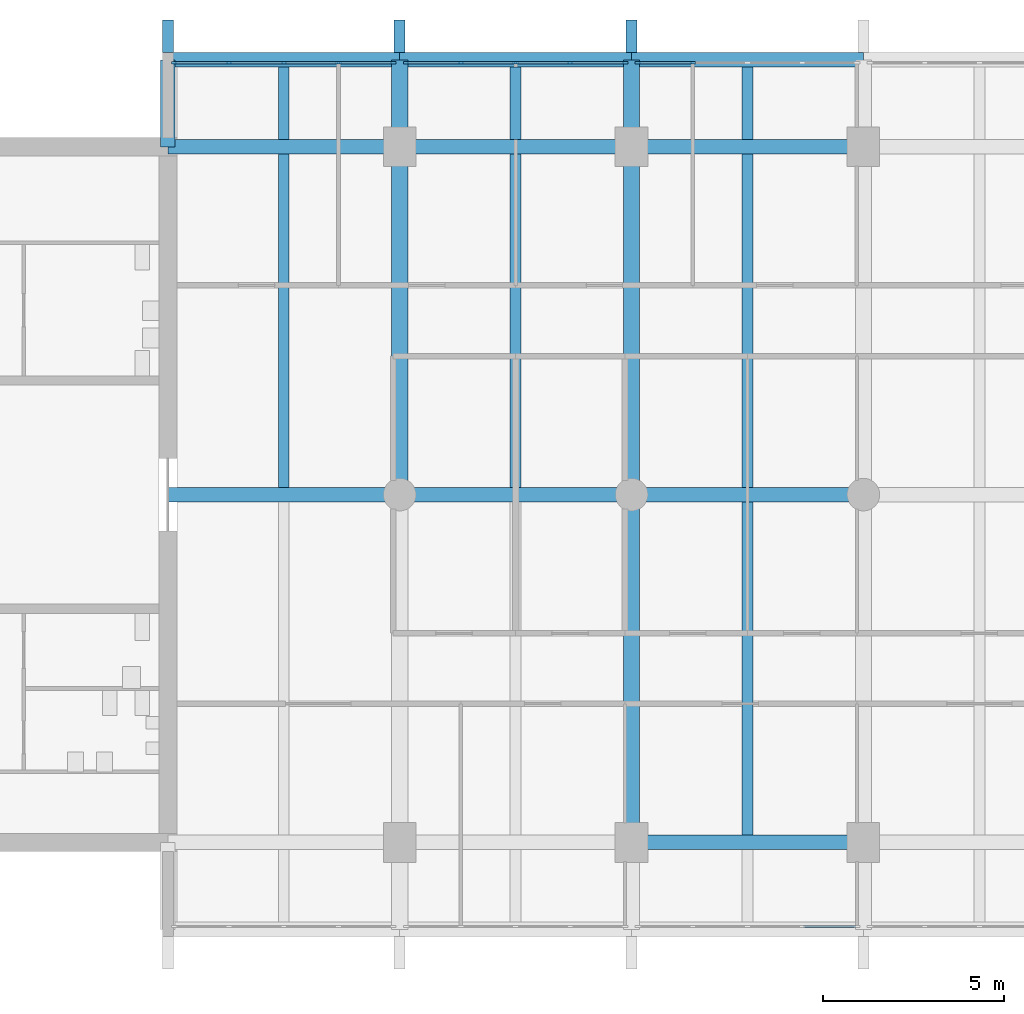
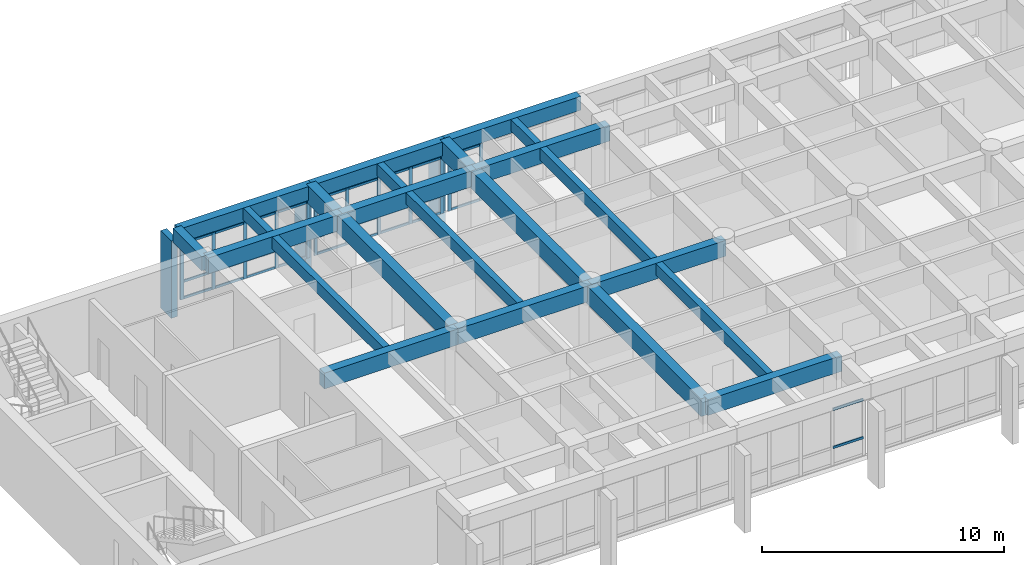
# One storey, part 3 of 15: 44 members, 23 beams, 4 elements without a shape of their own.
"""IFC4 building model written with IfcOpenShell, lengths in metres."""

import ifcopenshell
import ifcopenshell.guid

model = None  # the IFC model being written
_history = None  # IfcOwnerHistory: only IFC2X3 demands one
_inside = {}  # id of a spatial element -> (the spatial element, [elements in it])
_under = {}  # id of a project, library or spatial element -> (it, [spatial elements below it])
_declared = {}  # id of a project -> (the project, [libraries it declares])
_typed = {}  # id of a type object -> (the type object, [elements of that type])
_made_of = {}  # id of a material, layer set ... -> (it, [elements and type objects made of it])


def new_model(schema):
    """Start an empty IFC model of exactly this schema.

    Asked for "IFC4X3", IfcOpenShell would pick the latest addendum, in which some entities
    have other attributes; the version numbers below select the first issue.
    IFC2X3 requires an IfcOwnerHistory on every rooted entity: one is made here for all.
    """
    global model, _history
    if schema == "IFC4X3":
        model = ifcopenshell.file(schema_version=(4, 3, 0, 0))
    else:
        model = ifcopenshell.file(schema=schema)
    _inside.clear()
    _under.clear()
    _declared.clear()
    _typed.clear()
    _made_of.clear()
    _history = None
    if model.schema == "IFC2X3":
        org = make("IfcOrganization", Name="unknown")
        user = make(
            "IfcPersonAndOrganization",
            ThePerson=make("IfcPerson", FamilyName="unknown"),
            TheOrganization=org,
        )
        app = make(
            "IfcApplication",
            ApplicationDeveloper=org,
            Version="unknown",
            ApplicationFullName="unknown",
            ApplicationIdentifier="unknown",
        )
        _history = make(
            "IfcOwnerHistory",
            OwningUser=user,
            OwningApplication=app,
            ChangeAction="ADDED",
            CreationDate=0,
        )
    return model


def make(cls, **values):
    """One entity of the class cls with the attributes given. An attribute that is None is left unset."""
    return model.create_entity(
        cls, **{name: value for name, value in values.items() if value is not None}
    )


def rooted(cls, **values):
    """An entity with a GlobalId (a new one), such as an element, a storey or a relation."""
    return make(cls, GlobalId=ifcopenshell.guid.new(), OwnerHistory=_history, **values)


def si_unit(unit_type, name, prefix=None):
    """IfcSIUnit, for example si_unit("LENGTHUNIT", "METRE", prefix="MILLI")."""
    return make("IfcSIUnit", UnitType=unit_type, Prefix=prefix, Name=name)


def assignment(units):
    """IfcUnitAssignment: the units of a project."""
    return None if units is None else make("IfcUnitAssignment", Units=units)


def point(xyz):
    """IfcCartesianPoint."""
    return None if xyz is None else make("IfcCartesianPoint", Coordinates=xyz)


def direction(xyz):
    """IfcDirection."""
    return None if xyz is None else make("IfcDirection", DirectionRatios=xyz)


def frame(location, z_axis=None, x_axis=None):
    """IfcAxis2Placement3D, a coordinate frame: its origin and axes. An axis left out is left unset."""
    return make(
        "IfcAxis2Placement3D",
        Location=point(location),
        Axis=direction(z_axis),
        RefDirection=direction(x_axis),
    )


def frame_2d(location, x_axis=None):
    """IfcAxis2Placement2D, a coordinate frame in the plane: its origin and x axis."""
    return make(
        "IfcAxis2Placement2D", Location=point(location), RefDirection=direction(x_axis)
    )


def origin():
    """The frame at (0, 0, 0) with its axes left unset."""
    return frame((0.0, 0.0, 0.0))


def origin_2d():
    """The frame at (0, 0) in the plane with its x axis left unset."""
    return frame_2d((0.0, 0.0))


def place(relative_to, where):
    """IfcLocalPlacement: puts the frame where relative to a parent placement (None: the world)."""
    return make(
        "IfcLocalPlacement", PlacementRelTo=relative_to, RelativePlacement=where
    )


def context(
    kind, dimensions, precision=None, world=None, true_north=None, identifier=None
):
    """IfcGeometricRepresentationContext, for example the 3D "Model" context."""
    return make(
        "IfcGeometricRepresentationContext",
        ContextIdentifier=identifier,
        ContextType=kind,
        CoordinateSpaceDimension=dimensions,
        Precision=precision,
        WorldCoordinateSystem=world,
        TrueNorth=true_north,
    )


def subcontext(parent, identifier, kind, view, scale=None):
    """IfcGeometricRepresentationSubContext, for example "Body" below "Model"."""
    return make(
        "IfcGeometricRepresentationSubContext",
        ContextIdentifier=identifier,
        ContextType=kind,
        ParentContext=parent,
        TargetScale=scale,
        TargetView=view,
    )


def project(units=None, contexts=None):
    """IfcProject with its units and contexts."""
    return rooted(
        "IfcProject",
        Name="project",
        RepresentationContexts=contexts,
        UnitsInContext=assignment(units),
    )


def spatial(cls, under=None, at=None, **own):
    """A site, building, storey or space (cls), placed at a placement, below another one or the project."""
    s = rooted(cls, ObjectPlacement=at, **own)
    if under is not None:
        _under.setdefault(under.id(), (under, []))[1].append(s)
    return s


def profile(cls, at=None, kind="AREA", **sizes):
    """A parametric profile (cls). Its sizes go by their IFC names, for example OverallWidth=200.0."""
    return make(cls, ProfileType=kind, Position=at, **sizes)


def rectangle(**sizes):
    """IfcRectangleProfileDef."""
    return profile("IfcRectangleProfileDef", **sizes)


def extrude(swept, where, along, depth):
    """IfcExtrudedAreaSolid: the profile swept, set in the frame where, extruded along a direction by depth."""
    return make(
        "IfcExtrudedAreaSolid",
        SweptArea=swept,
        Position=where,
        ExtrudedDirection=direction(along),
        Depth=depth,
    )


def shape(context_of_items, identifier, shape_type, items):
    """IfcShapeRepresentation: the items that make up one representation, for example the "Body"."""
    return make(
        "IfcShapeRepresentation",
        ContextOfItems=context_of_items,
        RepresentationIdentifier=identifier,
        RepresentationType=shape_type,
        Items=items,
    )


def material(Name=None, Category=None):
    """IfcMaterial."""
    return make("IfcMaterial", Name=Name, Category=Category)


def layer(
    of_material, thickness, ventilated=None, Name=None, Category=None, Priority=None
):
    """IfcMaterialLayer: one layer of a wall or slab, of a material (None: an air gap)."""
    return make(
        "IfcMaterialLayer",
        Material=of_material,
        LayerThickness=thickness,
        IsVentilated=ventilated,
        Name=Name,
        Category=Category,
        Priority=Priority,
    )


def layer_set(layers, Name=None):
    """IfcMaterialLayerSet."""
    return make("IfcMaterialLayerSet", MaterialLayers=layers, LayerSetName=Name)


def material_profile(
    of_material, cross_section, Name=None, Category=None, Priority=None
):
    """IfcMaterialProfile: a cross section and its material."""
    return make(
        "IfcMaterialProfile",
        Name=Name,
        Material=of_material,
        Profile=cross_section,
        Priority=Priority,
        Category=Category,
    )


def profile_set(profiles, Name=None, composite=None):
    """IfcMaterialProfileSet."""
    return make(
        "IfcMaterialProfileSet",
        Name=Name,
        MaterialProfiles=profiles,
        CompositeProfile=composite,
    )


def made_of(thing, what):
    """Note that an element or type object is made of a material, layer set ...; save() writes the relation."""
    if what is not None:
        _made_of.setdefault(what.id(), (what, []))[1].append(thing)
    return thing


def type_object(cls, material=None, **own):
    """A type object (cls), such as IfcWallType, which elements share."""
    return made_of(rooted(cls, **own), material)


def element(
    cls,
    number,
    at=None,
    inside=None,
    cuts=None,
    type_object=None,
    material=None,
    context=None,
    identifier="Body",
    shape_type=None,
    held_by="IfcProductDefinitionShape",
    body=None,
    shapes=None,
    **own,
):
    """One element of the class cls, such as IfcWall. Its Tag is "e" and its number.

    at: its placement. inside: the storey or other place that contains it. cuts: it is an
    opening in that element (IfcRelVoidsElement). A single representation is given by context,
    identifier, shape_type and body (its items); several are given by shapes. held_by: the class
    of the entity that holds the representations. save() writes the other relations.
    """
    e = rooted(cls, Tag="e%d" % number, ObjectPlacement=at, **own)
    if body is not None:
        shapes = [shape(context, identifier, shape_type, body)]
    if shapes is not None:
        e.Representation = make(held_by, Representations=shapes)
    if inside is not None:
        _inside.setdefault(inside.id(), (inside, []))[1].append(e)
    if cuts is not None:
        rooted(
            "IfcRelVoidsElement", RelatingBuildingElement=cuts, RelatedOpeningElement=e
        )
    if type_object is not None:
        _typed.setdefault(type_object.id(), (type_object, []))[1].append(e)
    return made_of(e, material)


def aggregate(whole, parts):
    """IfcRelAggregates: a whole, such as a stair, and the parts it consists of."""
    return rooted("IfcRelAggregates", RelatingObject=whole, RelatedObjects=parts)


def save(model, path):
    """Write the relations noted so far, then the file.

    IfcRelAggregates (storeys below a building ...), IfcRelContainedInSpatialStructure (elements
    in a storey), IfcRelDefinesByType, IfcRelAssociatesMaterial and IfcRelDeclares: one each for
    every whole, place, type object, material and project.
    """
    for whole, parts in _under.values():
        aggregate(whole, parts)
    for where, things in _inside.values():
        rooted(
            "IfcRelContainedInSpatialStructure",
            RelatedElements=things,
            RelatingStructure=where,
        )
    for kind, things in _typed.values():
        rooted("IfcRelDefinesByType", RelatedObjects=things, RelatingType=kind)
    for what, things in _made_of.values():
        rooted("IfcRelAssociatesMaterial", RelatedObjects=things, RelatingMaterial=what)
    for by, libraries in _declared.values():
        rooted("IfcRelDeclares", RelatingContext=by, RelatedDefinitions=libraries)
    model.write(path)


model = new_model("IFC4")

# Units and contexts
model_context = context("Model", 3, precision=1e-05, world=origin(), true_north=direction((0.0, 1.0)))
body_context = subcontext(model_context, "Body", "Model", "MODEL_VIEW")
ifc_project = project(units=[si_unit("LENGTHUNIT", "METRE"), si_unit("AREAUNIT", "SQUARE_METRE"), si_unit("VOLUMEUNIT", "CUBIC_METRE"), si_unit("PLANEANGLEUNIT", "RADIAN"), si_unit("MASSUNIT", "GRAM", prefix="KILO")], contexts=[model_context])

# Site, building, storey
site_placement = place(None, origin())
site = spatial("IfcSite", under=ifc_project, at=site_placement, CompositionType="ELEMENT")
building_placement = place(site_placement, origin())
building = spatial("IfcBuilding", under=site, at=building_placement, Name="Fogon Plaza Fire Station and Headquarters Tower", CompositionType="ELEMENT")
storey_placement = place(building_placement, frame((0.0, 0.0, 48.300048828125)))
storey = spatial("IfcBuildingStorey", under=building, at=storey_placement, Name="L12", CompositionType="ELEMENT", Elevation=48.300048828125)

# Beams
ifc_material_1 = material(Name="Concrete C40", Category="concrete")
ifc_material_profile_1 = material_profile(ifc_material_1, rectangle(XDim=0.39990234375, YDim=0.699951171875, at=origin_2d()), Name="RC 400x700")
ifc_profile_set_1 = profile_set([ifc_material_profile_1], Name="Concrete C40")
beam_type_1 = type_object("IfcBeamType", Name="BEAM RC 400x700", PredefinedType="BEAM", material=ifc_profile_set_1)
for number, where, z_axis, x_axis, name in (
    (1, (25.60009765625, 55.199951171875, 3.329833984375), (1.0, 0.0, 0.0), (0.0, 1.0, 0.0), "beam-L12-045"),
    (2, (32.0, 55.199951171875, 3.329833984375), (1.0, 0.0, 0.0), (0.0, 1.0, 0.0), "beam-L12-046"),
):
    element("IfcBeam", number, at=place(storey_placement, frame(where, z_axis=z_axis, x_axis=x_axis)), inside=storey, type_object=beam_type_1, Name=name, PredefinedType="BEAM", context=body_context, shape_type="SweptSolid", body=[
        extrude(rectangle(XDim=0.39990234375, YDim=0.699951171875, at=origin_2d()), origin(), (0.0, 0.0, 1.0), 6.39990234375),
    ])
beam_1_placement = place(storey_placement, frame((38.39990234375, 55.199951171875, 3.329833984375), z_axis=(1.0, 0.0, 0.0), x_axis=(0.0, 1.0, 0.0)))
element("IfcBeam", 3, at=beam_1_placement, inside=storey, type_object=beam_type_1, Name="beam-L12-047", PredefinedType="BEAM", context=body_context, shape_type="SweptSolid", body=[
    extrude(rectangle(XDim=0.39990234375, YDim=0.699951171875, at=origin_2d()), origin(), (0.0, 0.0, 1.0), 6.400146484375),
])
ifc_material_2 = material(Name="Concrete C40", Category="concrete")
ifc_material_profile_2 = material_profile(ifc_material_2, rectangle(XDim=0.39990234375, YDim=0.699951171875, at=origin_2d()), Name="RC 400x700")
ifc_profile_set_2 = profile_set([ifc_material_profile_2], Name="Concrete C40")
beam_type_2 = type_object("IfcBeamType", Name="BEAM RC 400x700 SPAN 0.0 TO 3.0 M", PredefinedType="BEAM", material=ifc_profile_set_2)
beam_2_placement = place(storey_placement, frame((25.60009765625, 52.800048828125, 3.329833984375), z_axis=(0.0, 1.0, 0.0), x_axis=(-1.0, 0.0, 0.0)))
element("IfcBeam", 4, at=beam_2_placement, inside=storey, type_object=beam_type_2, Name="beam-L12-052", PredefinedType="BEAM", context=body_context, shape_type="SweptSolid", body=[
    extrude(rectangle(XDim=0.39990234375, YDim=0.699951171875, at=origin_2d()), origin(), (0.0, 0.0, 1.0), 2.39990234375),
])
ifc_material_3 = material(Name="Concrete C40", Category="concrete")
ifc_material_profile_3 = material_profile(ifc_material_3, rectangle(XDim=0.39990234375, YDim=0.800048828125, at=origin_2d()), Name="RC 400x800")
ifc_profile_set_3 = profile_set([ifc_material_profile_3], Name="Concrete C40")
beam_type_3 = type_object("IfcBeamType", Name="BEAM RC 400x800", PredefinedType="BEAM", material=ifc_profile_set_3)
beam_3_placement = place(storey_placement, frame((38.39990234375, 33.60009765625, 3.280029296875), z_axis=(1.0, 0.0, 0.0), x_axis=(0.0, 1.0, 0.0)))
element("IfcBeam", 5, at=beam_3_placement, inside=storey, type_object=beam_type_3, Name="beam-L12-023", PredefinedType="BEAM", context=body_context, shape_type="SweptSolid", body=[
    extrude(rectangle(XDim=0.39990234375, YDim=0.800048828125, at=origin_2d()), origin(), (0.0, 0.0, 1.0), 6.400146484375),
])
for number, where, z_axis, x_axis, name in (
    (6, (25.60009765625, 43.199951171875, 3.280029296875), (1.0, 0.0, 0.0), (0.0, 1.0, 0.0), "beam-L12-027"),
    (7, (32.0, 43.199951171875, 3.280029296875), (1.0, 0.0, 0.0), (0.0, 1.0, 0.0), "beam-L12-028"),
):
    element("IfcBeam", number, at=place(storey_placement, frame(where, z_axis=z_axis, x_axis=x_axis)), inside=storey, type_object=beam_type_3, Name=name, PredefinedType="BEAM", context=body_context, shape_type="SweptSolid", body=[
        extrude(rectangle(XDim=0.39990234375, YDim=0.800048828125, at=origin_2d()), origin(), (0.0, 0.0, 1.0), 6.39990234375),
    ])
beam_4_placement = place(storey_placement, frame((38.39990234375, 43.199951171875, 3.280029296875), z_axis=(1.0, 0.0, 0.0), x_axis=(0.0, 1.0, 0.0)))
element("IfcBeam", 8, at=beam_4_placement, inside=storey, type_object=beam_type_3, Name="beam-L12-029", PredefinedType="BEAM", context=body_context, shape_type="SweptSolid", body=[
    extrude(rectangle(XDim=0.39990234375, YDim=0.800048828125, at=origin_2d()), origin(), (0.0, 0.0, 1.0), 6.400146484375),
])
for number, where, z_axis, x_axis, name in (
    (9, (25.60009765625, 52.800048828125, 3.280029296875), (1.0, 0.0, 0.0), (0.0, 1.0, 0.0), "beam-L12-033"),
    (10, (32.0, 52.800048828125, 3.280029296875), (1.0, 0.0, 0.0), (0.0, 1.0, 0.0), "beam-L12-034"),
):
    element("IfcBeam", number, at=place(storey_placement, frame(where, z_axis=z_axis, x_axis=x_axis)), inside=storey, type_object=beam_type_3, Name=name, PredefinedType="BEAM", context=body_context, shape_type="SweptSolid", body=[
        extrude(rectangle(XDim=0.39990234375, YDim=0.800048828125, at=origin_2d()), origin(), (0.0, 0.0, 1.0), 6.39990234375),
    ])
beam_5_placement = place(storey_placement, frame((38.39990234375, 52.800048828125, 3.280029296875), z_axis=(1.0, 0.0, 0.0), x_axis=(0.0, 1.0, 0.0)))
element("IfcBeam", 11, at=beam_5_placement, inside=storey, type_object=beam_type_3, Name="beam-L12-035", PredefinedType="BEAM", context=body_context, shape_type="SweptSolid", body=[
    extrude(rectangle(XDim=0.39990234375, YDim=0.800048828125, at=origin_2d()), origin(), (0.0, 0.0, 1.0), 6.400146484375),
])
ifc_material_4 = material(Name="Concrete C40", Category="concrete")
ifc_material_profile_4 = material_profile(ifc_material_4, rectangle(XDim=0.449951171875, YDim=0.89990234375, at=origin_2d()), Name="RC 450x900")
ifc_profile_set_4 = profile_set([ifc_material_profile_4], Name="Concrete C40")
beam_type_4 = type_object("IfcBeamType", Name="BEAM RC 450x900", PredefinedType="BEAM", material=ifc_profile_set_4)
beam_6_placement = place(storey_placement, frame((32.0, 43.199951171875, 3.22998046875), z_axis=(0.0, 1.0, 0.0), x_axis=(-1.0, 0.0, 0.0)))
element("IfcBeam", 12, at=beam_6_placement, inside=storey, type_object=beam_type_4, Name="beam-L12-003", PredefinedType="BEAM", context=body_context, shape_type="SweptSolid", body=[
    extrude(rectangle(XDim=0.449951171875, YDim=0.89990234375, at=origin_2d()), origin(), (0.0, 0.0, 1.0), 9.60009765625),
])
beam_7_placement = place(storey_placement, frame((38.39990234375, 33.60009765625, 3.22998046875), z_axis=(0.0, 1.0, 0.0), x_axis=(-1.0, 0.0, 0.0)))
element("IfcBeam", 13, at=beam_7_placement, inside=storey, type_object=beam_type_4, Name="beam-L12-006", PredefinedType="BEAM", context=body_context, shape_type="SweptSolid", body=[
    extrude(rectangle(XDim=0.449951171875, YDim=0.89990234375, at=origin_2d()), origin(), (0.0, 0.0, 1.0), 9.599853515625),
])
beam_8_placement = place(storey_placement, frame((38.39990234375, 43.199951171875, 3.22998046875), z_axis=(0.0, 1.0, 0.0), x_axis=(-1.0, 0.0, 0.0)))
element("IfcBeam", 14, at=beam_8_placement, inside=storey, type_object=beam_type_4, Name="beam-L12-007", PredefinedType="BEAM", context=body_context, shape_type="SweptSolid", body=[
    extrude(rectangle(XDim=0.449951171875, YDim=0.89990234375, at=origin_2d()), origin(), (0.0, 0.0, 1.0), 9.60009765625),
])
ifc_material_5 = material(Name="Concrete C40", Category="concrete")
ifc_material_profile_5 = material_profile(ifc_material_5, rectangle(XDim=0.449951171875, YDim=0.89990234375, at=origin_2d()), Name="RC 450x900")
ifc_profile_set_5 = profile_set([ifc_material_profile_5], Name="Concrete C40")
beam_type_5 = type_object("IfcBeamType", Name="BEAM RC 450x900 SPAN 0.0 TO 3.0 M", PredefinedType="BEAM", material=ifc_profile_set_5)
for number, where, z_axis, x_axis, name in (
    (15, (32.0, 52.800048828125, 3.22998046875), (0.0, 1.0, 0.0), (-1.0, 0.0, 0.0), "beam-L12-004"),
    (16, (38.39990234375, 52.800048828125, 3.22998046875), (0.0, 1.0, 0.0), (-1.0, 0.0, 0.0), "beam-L12-008"),
):
    element("IfcBeam", number, at=place(storey_placement, frame(where, z_axis=z_axis, x_axis=x_axis)), inside=storey, type_object=beam_type_5, Name=name, PredefinedType="BEAM", context=body_context, shape_type="SweptSolid", body=[
        extrude(rectangle(XDim=0.449951171875, YDim=0.89990234375, at=origin_2d()), origin(), (0.0, 0.0, 1.0), 2.39990234375),
    ])

# Curtain wall, members
ifc_material_6 = material(Name="Aluminium and glass", Category="aluminium")
ifc_layer = layer(ifc_material_6, 0.14990234375)
ifc_layer_set = layer_set([ifc_layer], Name="Aluminium and glass")
curtain_wall_type = type_object("IfcCurtainWallType", Name="Unitised Curtain Wall Run 6100x2880", PredefinedType="NOTDEFINED", material=ifc_layer_set)
curtain_wall_1_placement = place(storey_placement, origin())
curtain_wall_1 = element("IfcCurtainWall", 17, at=curtain_wall_1_placement, inside=storey, type_object=curtain_wall_type, Name="CW-6100x2880 N1 L12", PredefinedType="NOTDEFINED")
ifc_material_7 = material(Name="Aluminium", Category="aluminium")
ifc_material_profile_6 = material_profile(ifc_material_7, rectangle(XDim=0.06005859375, YDim=0.159912109375, at=origin_2d()), Name="Curtain Wall Mullion 60x160")
ifc_profile_set_6 = profile_set([ifc_material_profile_6], Name="Aluminium")
member_type_1 = type_object("IfcMemberType", Name="Curtain Wall Mullion 60x160", PredefinedType="MULLION", material=ifc_profile_set_6)
member_1_placement = place(storey_placement, frame((25.780029296875, 55.1201171875, 0.0), z_axis=(0.0, 0.0, 1.0), x_axis=(0.0, 1.0, 0.0)))
member_1 = element("IfcMember", 18, at=member_1_placement, type_object=member_type_1, Name="CW-6100x2880 mullion 1", PredefinedType="MULLION", context=body_context, shape_type="SweptSolid", body=[
    extrude(rectangle(XDim=0.06005859375, YDim=0.159912109375, at=origin_2d()), origin(), (0.0, 0.0, 1.0), 2.8798828125),
])
member_2_placement = place(storey_placement, frame((27.2900390625, 55.1201171875, 0.0), z_axis=(0.0, 0.0, 1.0), x_axis=(0.0, 1.0, 0.0)))
member_2 = element("IfcMember", 19, at=member_2_placement, type_object=member_type_1, Name="CW-6100x2880 mullion 2", PredefinedType="MULLION", context=body_context, shape_type="SweptSolid", body=[
    extrude(rectangle(XDim=0.06005859375, YDim=0.159912109375, at=origin_2d()), origin(), (0.0, 0.0, 1.0), 2.8798828125),
])
member_3_placement = place(storey_placement, frame((28.800048828125, 55.1201171875, 0.0), z_axis=(0.0, 0.0, 1.0), x_axis=(0.0, 1.0, 0.0)))
member_3 = element("IfcMember", 20, at=member_3_placement, type_object=member_type_1, Name="CW-6100x2880 mullion 3", PredefinedType="MULLION", context=body_context, shape_type="SweptSolid", body=[
    extrude(rectangle(XDim=0.06005859375, YDim=0.159912109375, at=origin_2d()), origin(), (0.0, 0.0, 1.0), 2.8798828125),
])
member_4_placement = place(storey_placement, frame((30.31005859375, 55.1201171875, 0.0), z_axis=(0.0, 0.0, 1.0), x_axis=(0.0, 1.0, 0.0)))
member_4 = element("IfcMember", 21, at=member_4_placement, type_object=member_type_1, Name="CW-6100x2880 mullion 4", PredefinedType="MULLION", context=body_context, shape_type="SweptSolid", body=[
    extrude(rectangle(XDim=0.06005859375, YDim=0.159912109375, at=origin_2d()), origin(), (0.0, 0.0, 1.0), 2.8798828125),
])
member_5_placement = place(storey_placement, frame((31.820068359375, 55.1201171875, 0.0), z_axis=(0.0, 0.0, 1.0), x_axis=(0.0, 1.0, 0.0)))
member_5 = element("IfcMember", 22, at=member_5_placement, type_object=member_type_1, Name="CW-6100x2880 mullion 5", PredefinedType="MULLION", context=body_context, shape_type="SweptSolid", body=[
    extrude(rectangle(XDim=0.06005859375, YDim=0.159912109375, at=origin_2d()), origin(), (0.0, 0.0, 1.0), 2.8798828125),
])

curtain_wall_2_placement = place(storey_placement, origin())
curtain_wall_2 = element("IfcCurtainWall", 23, at=curtain_wall_2_placement, inside=storey, type_object=curtain_wall_type, Name="CW-6100x2880 N2 L12", PredefinedType="NOTDEFINED")
member_6_placement = place(storey_placement, frame((32.179931640625, 55.1201171875, 0.0), z_axis=(0.0, 0.0, 1.0), x_axis=(0.0, 1.0, 0.0)))
member_6 = element("IfcMember", 24, at=member_6_placement, type_object=member_type_1, Name="CW-6100x2880 mullion 1", PredefinedType="MULLION", context=body_context, shape_type="SweptSolid", body=[
    extrude(rectangle(XDim=0.06005859375, YDim=0.159912109375, at=origin_2d()), origin(), (0.0, 0.0, 1.0), 2.8798828125),
])
member_7_placement = place(storey_placement, frame((33.68994140625, 55.1201171875, 0.0), z_axis=(0.0, 0.0, 1.0), x_axis=(0.0, 1.0, 0.0)))
member_7 = element("IfcMember", 25, at=member_7_placement, type_object=member_type_1, Name="CW-6100x2880 mullion 2", PredefinedType="MULLION", context=body_context, shape_type="SweptSolid", body=[
    extrude(rectangle(XDim=0.06005859375, YDim=0.159912109375, at=origin_2d()), origin(), (0.0, 0.0, 1.0), 2.8798828125),
])
member_8_placement = place(storey_placement, frame((35.199951171875, 55.1201171875, 0.0), z_axis=(0.0, 0.0, 1.0), x_axis=(0.0, 1.0, 0.0)))
member_8 = element("IfcMember", 26, at=member_8_placement, type_object=member_type_1, Name="CW-6100x2880 mullion 3", PredefinedType="MULLION", context=body_context, shape_type="SweptSolid", body=[
    extrude(rectangle(XDim=0.06005859375, YDim=0.159912109375, at=origin_2d()), origin(), (0.0, 0.0, 1.0), 2.8798828125),
])
member_9_placement = place(storey_placement, frame((36.7099609375, 55.1201171875, 0.0), z_axis=(0.0, 0.0, 1.0), x_axis=(0.0, 1.0, 0.0)))
member_9 = element("IfcMember", 27, at=member_9_placement, type_object=member_type_1, Name="CW-6100x2880 mullion 4", PredefinedType="MULLION", context=body_context, shape_type="SweptSolid", body=[
    extrude(rectangle(XDim=0.06005859375, YDim=0.159912109375, at=origin_2d()), origin(), (0.0, 0.0, 1.0), 2.8798828125),
])
member_10_placement = place(storey_placement, frame((38.219970703125, 55.1201171875, 0.0), z_axis=(0.0, 0.0, 1.0), x_axis=(0.0, 1.0, 0.0)))
member_10 = element("IfcMember", 28, at=member_10_placement, type_object=member_type_1, Name="CW-6100x2880 mullion 5", PredefinedType="MULLION", context=body_context, shape_type="SweptSolid", body=[
    extrude(rectangle(XDim=0.06005859375, YDim=0.159912109375, at=origin_2d()), origin(), (0.0, 0.0, 1.0), 2.8798828125),
])

curtain_wall_3_placement = place(storey_placement, origin())
curtain_wall_3 = element("IfcCurtainWall", 29, at=curtain_wall_3_placement, inside=storey, type_object=curtain_wall_type, Name="CW-6100x2880 N3 L12", PredefinedType="NOTDEFINED")
member_11_placement = place(storey_placement, frame((38.580078125, 55.1201171875, 0.0), z_axis=(0.0, 0.0, 1.0), x_axis=(0.0, 1.0, 0.0)))
member_11 = element("IfcMember", 30, at=member_11_placement, type_object=member_type_1, Name="CW-6100x2880 mullion 1", PredefinedType="MULLION", context=body_context, shape_type="SweptSolid", body=[
    extrude(rectangle(XDim=0.06005859375, YDim=0.159912109375, at=origin_2d()), origin(), (0.0, 0.0, 1.0), 2.8798828125),
])
member_12_placement = place(storey_placement, frame((40.090087890625, 55.1201171875, 0.0), z_axis=(0.0, 0.0, 1.0), x_axis=(0.0, 1.0, 0.0)))
member_12 = element("IfcMember", 31, at=member_12_placement, type_object=member_type_1, Name="CW-6100x2880 mullion 2", PredefinedType="MULLION", context=body_context, shape_type="SweptSolid", body=[
    extrude(rectangle(XDim=0.06005859375, YDim=0.159912109375, at=origin_2d()), origin(), (0.0, 0.0, 1.0), 2.8798828125),
])

curtain_wall_4_placement = place(storey_placement, origin())
curtain_wall_4 = element("IfcCurtainWall", 32, at=curtain_wall_4_placement, inside=storey, type_object=curtain_wall_type, Name="CW-6100x2880 S3 L12", PredefinedType="NOTDEFINED")
ifc_material_8 = material(Name="Aluminium", Category="aluminium")
ifc_material_profile_7 = material_profile(ifc_material_8, rectangle(XDim=0.06005859375, YDim=0.1201171875, at=origin_2d()), Name="Curtain Wall Transom 60x120")
ifc_profile_set_7 = profile_set([ifc_material_profile_7], Name="Aluminium")
member_type_2 = type_object("IfcMemberType", Name="Curtain Wall Transom 60x120", PredefinedType="USERDEFINED", material=ifc_profile_set_7)
member_13_placement = place(storey_placement, frame((43.139892578125, 31.280029296875, 0.89990234375), z_axis=(1.0, 0.0, 0.0), x_axis=(0.0, 1.0, 0.0)))
member_13 = element("IfcMember", 33, at=member_13_placement, type_object=member_type_2, Name="CW-6100x2880 transom 4.2", ObjectType="TRANSOM", PredefinedType="USERDEFINED", context=body_context, shape_type="SweptSolid", body=[
    extrude(rectangle(XDim=0.06005859375, YDim=0.1201171875, at=origin_2d()), origin(), (0.0, 0.0, 1.0), 1.4501953125),
])
member_14_placement = place(storey_placement, frame((43.139892578125, 31.280029296875, 2.820068359375), z_axis=(1.0, 0.0, 0.0), x_axis=(0.0, 1.0, 0.0)))
member_14 = element("IfcMember", 34, at=member_14_placement, type_object=member_type_2, Name="CW-6100x2880 transom 4.3", ObjectType="TRANSOM", PredefinedType="USERDEFINED", context=body_context, shape_type="SweptSolid", body=[
    extrude(rectangle(XDim=0.06005859375, YDim=0.1201171875, at=origin_2d()), origin(), (0.0, 0.0, 1.0), 1.4501953125),
])
aggregate(curtain_wall_4, [member_13, member_14])

# Member
member_15_placement = place(storey_placement, frame((25.81005859375, 55.1201171875, 0.06005859375), z_axis=(1.0, 0.0, 0.0), x_axis=(0.0, 1.0, 0.0)))
member_15 = element("IfcMember", 35, at=member_15_placement, type_object=member_type_2, Name="CW-6100x2880 transom 1.1", ObjectType="TRANSOM", PredefinedType="USERDEFINED", context=body_context, shape_type="SweptSolid", body=[
    extrude(rectangle(XDim=0.06005859375, YDim=0.1201171875, at=origin_2d()), origin(), (0.0, 0.0, 1.0), 1.449951171875),
])

member_16_placement = place(storey_placement, frame((25.81005859375, 55.1201171875, 0.89990234375), z_axis=(1.0, 0.0, 0.0), x_axis=(0.0, 1.0, 0.0)))
member_16 = element("IfcMember", 36, at=member_16_placement, type_object=member_type_2, Name="CW-6100x2880 transom 1.2", ObjectType="TRANSOM", PredefinedType="USERDEFINED", context=body_context, shape_type="SweptSolid", body=[
    extrude(rectangle(XDim=0.06005859375, YDim=0.1201171875, at=origin_2d()), origin(), (0.0, 0.0, 1.0), 1.449951171875),
])

member_17_placement = place(storey_placement, frame((25.81005859375, 55.1201171875, 2.820068359375), z_axis=(1.0, 0.0, 0.0), x_axis=(0.0, 1.0, 0.0)))
member_17 = element("IfcMember", 37, at=member_17_placement, type_object=member_type_2, Name="CW-6100x2880 transom 1.3", ObjectType="TRANSOM", PredefinedType="USERDEFINED", context=body_context, shape_type="SweptSolid", body=[
    extrude(rectangle(XDim=0.06005859375, YDim=0.1201171875, at=origin_2d()), origin(), (0.0, 0.0, 1.0), 1.449951171875),
])

member_18_placement = place(storey_placement, frame((27.320068359375, 55.1201171875, 0.06005859375), z_axis=(1.0, 0.0, 0.0), x_axis=(0.0, 1.0, 0.0)))
member_18 = element("IfcMember", 38, at=member_18_placement, type_object=member_type_2, Name="CW-6100x2880 transom 2.1", ObjectType="TRANSOM", PredefinedType="USERDEFINED", context=body_context, shape_type="SweptSolid", body=[
    extrude(rectangle(XDim=0.06005859375, YDim=0.1201171875, at=origin_2d()), origin(), (0.0, 0.0, 1.0), 1.449951171875),
])

member_19_placement = place(storey_placement, frame((27.320068359375, 55.1201171875, 0.89990234375), z_axis=(1.0, 0.0, 0.0), x_axis=(0.0, 1.0, 0.0)))
member_19 = element("IfcMember", 39, at=member_19_placement, type_object=member_type_2, Name="CW-6100x2880 transom 2.2", ObjectType="TRANSOM", PredefinedType="USERDEFINED", context=body_context, shape_type="SweptSolid", body=[
    extrude(rectangle(XDim=0.06005859375, YDim=0.1201171875, at=origin_2d()), origin(), (0.0, 0.0, 1.0), 1.449951171875),
])

member_20_placement = place(storey_placement, frame((27.320068359375, 55.1201171875, 2.820068359375), z_axis=(1.0, 0.0, 0.0), x_axis=(0.0, 1.0, 0.0)))
member_20 = element("IfcMember", 40, at=member_20_placement, type_object=member_type_2, Name="CW-6100x2880 transom 2.3", ObjectType="TRANSOM", PredefinedType="USERDEFINED", context=body_context, shape_type="SweptSolid", body=[
    extrude(rectangle(XDim=0.06005859375, YDim=0.1201171875, at=origin_2d()), origin(), (0.0, 0.0, 1.0), 1.449951171875),
])

member_21_placement = place(storey_placement, frame((28.830078125, 55.1201171875, 0.06005859375), z_axis=(1.0, 0.0, 0.0), x_axis=(0.0, 1.0, 0.0)))
member_21 = element("IfcMember", 41, at=member_21_placement, type_object=member_type_2, Name="CW-6100x2880 transom 3.1", ObjectType="TRANSOM", PredefinedType="USERDEFINED", context=body_context, shape_type="SweptSolid", body=[
    extrude(rectangle(XDim=0.06005859375, YDim=0.1201171875, at=origin_2d()), origin(), (0.0, 0.0, 1.0), 1.449951171875),
])

member_22_placement = place(storey_placement, frame((28.830078125, 55.1201171875, 0.89990234375), z_axis=(1.0, 0.0, 0.0), x_axis=(0.0, 1.0, 0.0)))
member_22 = element("IfcMember", 42, at=member_22_placement, type_object=member_type_2, Name="CW-6100x2880 transom 3.2", ObjectType="TRANSOM", PredefinedType="USERDEFINED", context=body_context, shape_type="SweptSolid", body=[
    extrude(rectangle(XDim=0.06005859375, YDim=0.1201171875, at=origin_2d()), origin(), (0.0, 0.0, 1.0), 1.449951171875),
])

member_23_placement = place(storey_placement, frame((28.830078125, 55.1201171875, 2.820068359375), z_axis=(1.0, 0.0, 0.0), x_axis=(0.0, 1.0, 0.0)))
member_23 = element("IfcMember", 43, at=member_23_placement, type_object=member_type_2, Name="CW-6100x2880 transom 3.3", ObjectType="TRANSOM", PredefinedType="USERDEFINED", context=body_context, shape_type="SweptSolid", body=[
    extrude(rectangle(XDim=0.06005859375, YDim=0.1201171875, at=origin_2d()), origin(), (0.0, 0.0, 1.0), 1.449951171875),
])

member_24_placement = place(storey_placement, frame((30.340087890625, 55.1201171875, 0.06005859375), z_axis=(1.0, 0.0, 0.0), x_axis=(0.0, 1.0, 0.0)))
member_24 = element("IfcMember", 44, at=member_24_placement, type_object=member_type_2, Name="CW-6100x2880 transom 4.1", ObjectType="TRANSOM", PredefinedType="USERDEFINED", context=body_context, shape_type="SweptSolid", body=[
    extrude(rectangle(XDim=0.06005859375, YDim=0.1201171875, at=origin_2d()), origin(), (0.0, 0.0, 1.0), 1.449951171875),
])

member_25_placement = place(storey_placement, frame((30.340087890625, 55.1201171875, 0.89990234375), z_axis=(1.0, 0.0, 0.0), x_axis=(0.0, 1.0, 0.0)))
member_25 = element("IfcMember", 45, at=member_25_placement, type_object=member_type_2, Name="CW-6100x2880 transom 4.2", ObjectType="TRANSOM", PredefinedType="USERDEFINED", context=body_context, shape_type="SweptSolid", body=[
    extrude(rectangle(XDim=0.06005859375, YDim=0.1201171875, at=origin_2d()), origin(), (0.0, 0.0, 1.0), 1.449951171875),
])

member_26_placement = place(storey_placement, frame((30.340087890625, 55.1201171875, 2.820068359375), z_axis=(1.0, 0.0, 0.0), x_axis=(0.0, 1.0, 0.0)))
member_26 = element("IfcMember", 46, at=member_26_placement, type_object=member_type_2, Name="CW-6100x2880 transom 4.3", ObjectType="TRANSOM", PredefinedType="USERDEFINED", context=body_context, shape_type="SweptSolid", body=[
    extrude(rectangle(XDim=0.06005859375, YDim=0.1201171875, at=origin_2d()), origin(), (0.0, 0.0, 1.0), 1.449951171875),
])

aggregate(curtain_wall_1, [member_1, member_2, member_3, member_4, member_5, member_15, member_16, member_17, member_18, member_19, member_20, member_21, member_22, member_23, member_24, member_25, member_26])

member_27_placement = place(storey_placement, frame((32.2099609375, 55.1201171875, 0.06005859375), z_axis=(1.0, 0.0, 0.0), x_axis=(0.0, 1.0, 0.0)))
member_27 = element("IfcMember", 47, at=member_27_placement, type_object=member_type_2, Name="CW-6100x2880 transom 1.1", ObjectType="TRANSOM", PredefinedType="USERDEFINED", context=body_context, shape_type="SweptSolid", body=[
    extrude(rectangle(XDim=0.06005859375, YDim=0.1201171875, at=origin_2d()), origin(), (0.0, 0.0, 1.0), 1.449951171875),
])

member_28_placement = place(storey_placement, frame((32.2099609375, 55.1201171875, 0.89990234375), z_axis=(1.0, 0.0, 0.0), x_axis=(0.0, 1.0, 0.0)))
member_28 = element("IfcMember", 48, at=member_28_placement, type_object=member_type_2, Name="CW-6100x2880 transom 1.2", ObjectType="TRANSOM", PredefinedType="USERDEFINED", context=body_context, shape_type="SweptSolid", body=[
    extrude(rectangle(XDim=0.06005859375, YDim=0.1201171875, at=origin_2d()), origin(), (0.0, 0.0, 1.0), 1.449951171875),
])

member_29_placement = place(storey_placement, frame((32.2099609375, 55.1201171875, 2.820068359375), z_axis=(1.0, 0.0, 0.0), x_axis=(0.0, 1.0, 0.0)))
member_29 = element("IfcMember", 49, at=member_29_placement, type_object=member_type_2, Name="CW-6100x2880 transom 1.3", ObjectType="TRANSOM", PredefinedType="USERDEFINED", context=body_context, shape_type="SweptSolid", body=[
    extrude(rectangle(XDim=0.06005859375, YDim=0.1201171875, at=origin_2d()), origin(), (0.0, 0.0, 1.0), 1.449951171875),
])

member_30_placement = place(storey_placement, frame((33.719970703125, 55.1201171875, 0.06005859375), z_axis=(1.0, 0.0, 0.0), x_axis=(0.0, 1.0, 0.0)))
member_30 = element("IfcMember", 50, at=member_30_placement, type_object=member_type_2, Name="CW-6100x2880 transom 2.1", ObjectType="TRANSOM", PredefinedType="USERDEFINED", context=body_context, shape_type="SweptSolid", body=[
    extrude(rectangle(XDim=0.06005859375, YDim=0.1201171875, at=origin_2d()), origin(), (0.0, 0.0, 1.0), 1.449951171875),
])

member_31_placement = place(storey_placement, frame((33.719970703125, 55.1201171875, 0.89990234375), z_axis=(1.0, 0.0, 0.0), x_axis=(0.0, 1.0, 0.0)))
member_31 = element("IfcMember", 51, at=member_31_placement, type_object=member_type_2, Name="CW-6100x2880 transom 2.2", ObjectType="TRANSOM", PredefinedType="USERDEFINED", context=body_context, shape_type="SweptSolid", body=[
    extrude(rectangle(XDim=0.06005859375, YDim=0.1201171875, at=origin_2d()), origin(), (0.0, 0.0, 1.0), 1.449951171875),
])

member_32_placement = place(storey_placement, frame((33.719970703125, 55.1201171875, 2.820068359375), z_axis=(1.0, 0.0, 0.0), x_axis=(0.0, 1.0, 0.0)))
member_32 = element("IfcMember", 52, at=member_32_placement, type_object=member_type_2, Name="CW-6100x2880 transom 2.3", ObjectType="TRANSOM", PredefinedType="USERDEFINED", context=body_context, shape_type="SweptSolid", body=[
    extrude(rectangle(XDim=0.06005859375, YDim=0.1201171875, at=origin_2d()), origin(), (0.0, 0.0, 1.0), 1.449951171875),
])

member_33_placement = place(storey_placement, frame((35.22998046875, 55.1201171875, 0.06005859375), z_axis=(1.0, 0.0, 0.0), x_axis=(0.0, 1.0, 0.0)))
member_33 = element("IfcMember", 53, at=member_33_placement, type_object=member_type_2, Name="CW-6100x2880 transom 3.1", ObjectType="TRANSOM", PredefinedType="USERDEFINED", context=body_context, shape_type="SweptSolid", body=[
    extrude(rectangle(XDim=0.06005859375, YDim=0.1201171875, at=origin_2d()), origin(), (0.0, 0.0, 1.0), 1.449951171875),
])

member_34_placement = place(storey_placement, frame((35.22998046875, 55.1201171875, 0.89990234375), z_axis=(1.0, 0.0, 0.0), x_axis=(0.0, 1.0, 0.0)))
member_34 = element("IfcMember", 54, at=member_34_placement, type_object=member_type_2, Name="CW-6100x2880 transom 3.2", ObjectType="TRANSOM", PredefinedType="USERDEFINED", context=body_context, shape_type="SweptSolid", body=[
    extrude(rectangle(XDim=0.06005859375, YDim=0.1201171875, at=origin_2d()), origin(), (0.0, 0.0, 1.0), 1.449951171875),
])

member_35_placement = place(storey_placement, frame((35.22998046875, 55.1201171875, 2.820068359375), z_axis=(1.0, 0.0, 0.0), x_axis=(0.0, 1.0, 0.0)))
member_35 = element("IfcMember", 55, at=member_35_placement, type_object=member_type_2, Name="CW-6100x2880 transom 3.3", ObjectType="TRANSOM", PredefinedType="USERDEFINED", context=body_context, shape_type="SweptSolid", body=[
    extrude(rectangle(XDim=0.06005859375, YDim=0.1201171875, at=origin_2d()), origin(), (0.0, 0.0, 1.0), 1.449951171875),
])

member_36_placement = place(storey_placement, frame((36.739990234375, 55.1201171875, 0.06005859375), z_axis=(1.0, 0.0, 0.0), x_axis=(0.0, 1.0, 0.0)))
member_36 = element("IfcMember", 56, at=member_36_placement, type_object=member_type_2, Name="CW-6100x2880 transom 4.1", ObjectType="TRANSOM", PredefinedType="USERDEFINED", context=body_context, shape_type="SweptSolid", body=[
    extrude(rectangle(XDim=0.06005859375, YDim=0.1201171875, at=origin_2d()), origin(), (0.0, 0.0, 1.0), 1.449951171875),
])

member_37_placement = place(storey_placement, frame((36.739990234375, 55.1201171875, 0.89990234375), z_axis=(1.0, 0.0, 0.0), x_axis=(0.0, 1.0, 0.0)))
member_37 = element("IfcMember", 57, at=member_37_placement, type_object=member_type_2, Name="CW-6100x2880 transom 4.2", ObjectType="TRANSOM", PredefinedType="USERDEFINED", context=body_context, shape_type="SweptSolid", body=[
    extrude(rectangle(XDim=0.06005859375, YDim=0.1201171875, at=origin_2d()), origin(), (0.0, 0.0, 1.0), 1.449951171875),
])

member_38_placement = place(storey_placement, frame((36.739990234375, 55.1201171875, 2.820068359375), z_axis=(1.0, 0.0, 0.0), x_axis=(0.0, 1.0, 0.0)))
member_38 = element("IfcMember", 58, at=member_38_placement, type_object=member_type_2, Name="CW-6100x2880 transom 4.3", ObjectType="TRANSOM", PredefinedType="USERDEFINED", context=body_context, shape_type="SweptSolid", body=[
    extrude(rectangle(XDim=0.06005859375, YDim=0.1201171875, at=origin_2d()), origin(), (0.0, 0.0, 1.0), 1.449951171875),
])

aggregate(curtain_wall_2, [member_6, member_7, member_8, member_9, member_10, member_27, member_28, member_29, member_30, member_31, member_32, member_33, member_34, member_35, member_36, member_37, member_38])

member_39_placement = place(storey_placement, frame((38.610107421875, 55.1201171875, 0.06005859375), z_axis=(1.0, 0.0, 0.0), x_axis=(0.0, 1.0, 0.0)))
member_39 = element("IfcMember", 59, at=member_39_placement, type_object=member_type_2, Name="CW-6100x2880 transom 1.1", ObjectType="TRANSOM", PredefinedType="USERDEFINED", context=body_context, shape_type="SweptSolid", body=[
    extrude(rectangle(XDim=0.06005859375, YDim=0.1201171875, at=origin_2d()), origin(), (0.0, 0.0, 1.0), 1.449951171875),
])

member_40_placement = place(storey_placement, frame((38.610107421875, 55.1201171875, 0.89990234375), z_axis=(1.0, 0.0, 0.0), x_axis=(0.0, 1.0, 0.0)))
member_40 = element("IfcMember", 60, at=member_40_placement, type_object=member_type_2, Name="CW-6100x2880 transom 1.2", ObjectType="TRANSOM", PredefinedType="USERDEFINED", context=body_context, shape_type="SweptSolid", body=[
    extrude(rectangle(XDim=0.06005859375, YDim=0.1201171875, at=origin_2d()), origin(), (0.0, 0.0, 1.0), 1.449951171875),
])

member_41_placement = place(storey_placement, frame((38.610107421875, 55.1201171875, 2.820068359375), z_axis=(1.0, 0.0, 0.0), x_axis=(0.0, 1.0, 0.0)))
member_41 = element("IfcMember", 61, at=member_41_placement, type_object=member_type_2, Name="CW-6100x2880 transom 1.3", ObjectType="TRANSOM", PredefinedType="USERDEFINED", context=body_context, shape_type="SweptSolid", body=[
    extrude(rectangle(XDim=0.06005859375, YDim=0.1201171875, at=origin_2d()), origin(), (0.0, 0.0, 1.0), 1.449951171875),
])

aggregate(curtain_wall_3, [member_11, member_12, member_39, member_40, member_41])

# Beams
ifc_material_9 = material(Name="Concrete C40", Category="concrete")
ifc_material_profile_8 = material_profile(ifc_material_9, rectangle(XDim=0.300048828125, YDim=0.60009765625, at=origin_2d()), Name="RC 300x600")
ifc_profile_set_8 = profile_set([ifc_material_profile_8], Name="Concrete C40")
beam_type_6 = type_object("IfcBeamType", Name="JOIST RC 300x600", PredefinedType="JOIST", material=ifc_profile_set_8)
for number, where, z_axis, x_axis, name in (
    (62, (28.800048828125, 43.39990234375, 3.3798828125), (0.0, 1.0, 0.0), (-1.0, 0.0, 0.0), "beam-L12-057"),
    (63, (35.199951171875, 43.39990234375, 3.3798828125), (0.0, 1.0, 0.0), (-1.0, 0.0, 0.0), "beam-L12-061"),
):
    element("IfcBeam", number, at=place(storey_placement, frame(where, z_axis=z_axis, x_axis=x_axis)), inside=storey, type_object=beam_type_6, Name=name, PredefinedType="JOIST", context=body_context, shape_type="SweptSolid", body=[
        extrude(rectangle(XDim=0.300048828125, YDim=0.60009765625, at=origin_2d()), origin(), (0.0, 0.0, 1.0), 9.2001953125),
    ])
beam_9_placement = place(storey_placement, frame((41.60009765625, 33.800048828125, 3.3798828125), z_axis=(0.0, 1.0, 0.0), x_axis=(-1.0, 0.0, 0.0)))
element("IfcBeam", 64, at=beam_9_placement, inside=storey, type_object=beam_type_6, Name="beam-L12-064", PredefinedType="JOIST", context=body_context, shape_type="SweptSolid", body=[
    extrude(rectangle(XDim=0.300048828125, YDim=0.60009765625, at=origin_2d()), origin(), (0.0, 0.0, 1.0), 9.199951171875),
])
beam_10_placement = place(storey_placement, frame((41.60009765625, 43.39990234375, 3.3798828125), z_axis=(0.0, 1.0, 0.0), x_axis=(-1.0, 0.0, 0.0)))
element("IfcBeam", 65, at=beam_10_placement, inside=storey, type_object=beam_type_6, Name="beam-L12-065", PredefinedType="JOIST", context=body_context, shape_type="SweptSolid", body=[
    extrude(rectangle(XDim=0.300048828125, YDim=0.60009765625, at=origin_2d()), origin(), (0.0, 0.0, 1.0), 9.2001953125),
])
ifc_material_10 = material(Name="Concrete C40", Category="concrete")
ifc_material_profile_9 = material_profile(ifc_material_10, rectangle(XDim=0.300048828125, YDim=0.60009765625, at=origin_2d()), Name="RC 300x600")
ifc_profile_set_9 = profile_set([ifc_material_profile_9], Name="Concrete C40")
beam_type_7 = type_object("IfcBeamType", Name="JOIST RC 300x600 SPAN 0.0 TO 3.0 M", PredefinedType="JOIST", material=ifc_profile_set_9)
for number, where, z_axis, x_axis, name in (
    (66, (28.800048828125, 53.0, 3.3798828125), (0.0, 1.0, 0.0), (-1.0, 0.0, 0.0), "beam-L12-058"),
    (67, (35.199951171875, 53.0, 3.3798828125), (0.0, 1.0, 0.0), (-1.0, 0.0, 0.0), "beam-L12-062"),
    (68, (41.60009765625, 53.0, 3.3798828125), (0.0, 1.0, 0.0), (-1.0, 0.0, 0.0), "beam-L12-066"),
):
    element("IfcBeam", number, at=place(storey_placement, frame(where, z_axis=z_axis, x_axis=x_axis)), inside=storey, type_object=beam_type_7, Name=name, PredefinedType="JOIST", context=body_context, shape_type="SweptSolid", body=[
        extrude(rectangle(XDim=0.300048828125, YDim=0.60009765625, at=origin_2d()), origin(), (0.0, 0.0, 1.0), 2.0),
    ])

# Members
ifc_material_11 = material(Name="Concrete C40 precast", Category="concrete")
ifc_material_profile_10 = material_profile(ifc_material_11, rectangle(XDim=0.300048828125, YDim=0.89990234375, at=origin_2d()), Name="Precast Concrete Post 300x900")
ifc_profile_set_10 = profile_set([ifc_material_profile_10], Name="Concrete C40 precast")
member_type_3 = type_object("IfcMemberType", Name="Precast Concrete Post 300x900", PredefinedType="POST", material=ifc_profile_set_10)
for number, where, z_axis, x_axis, name in (
    (69, (25.60009765625, 55.85009765625, -1.02001953125), (0.0, 0.0, 1.0), (1.0, 0.0, 0.0), "Precast Post N L12"),
    (70, (32.0, 55.85009765625, -1.02001953125), (0.0, 0.0, 1.0), (1.0, 0.0, 0.0), "Precast Post N L12"),
    (71, (38.39990234375, 55.85009765625, -1.02001953125), (0.0, 0.0, 1.0), (1.0, 0.0, 0.0), "Precast Post N L12"),
):
    element("IfcMember", number, at=place(storey_placement, frame(where, z_axis=z_axis, x_axis=x_axis)), inside=storey, type_object=member_type_3, Name=name, PredefinedType="POST", context=body_context, shape_type="SweptSolid", body=[
        extrude(rectangle(XDim=0.300048828125, YDim=0.89990234375, at=origin_2d()), origin(), (0.0, 0.0, 1.0), 3.89990234375),
    ])

save(model, "model.ifc")
